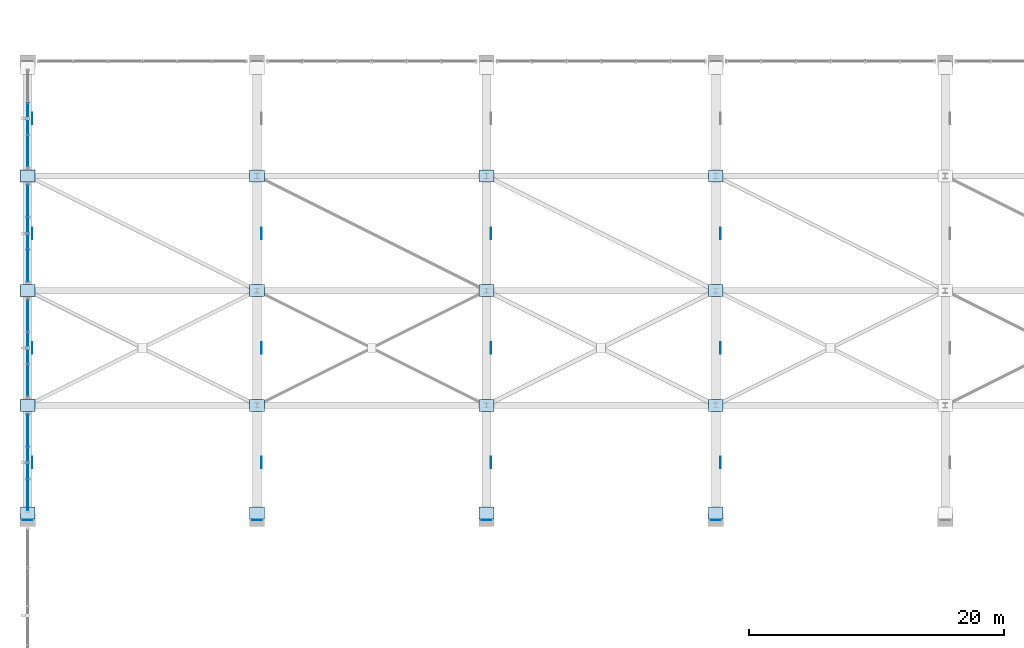
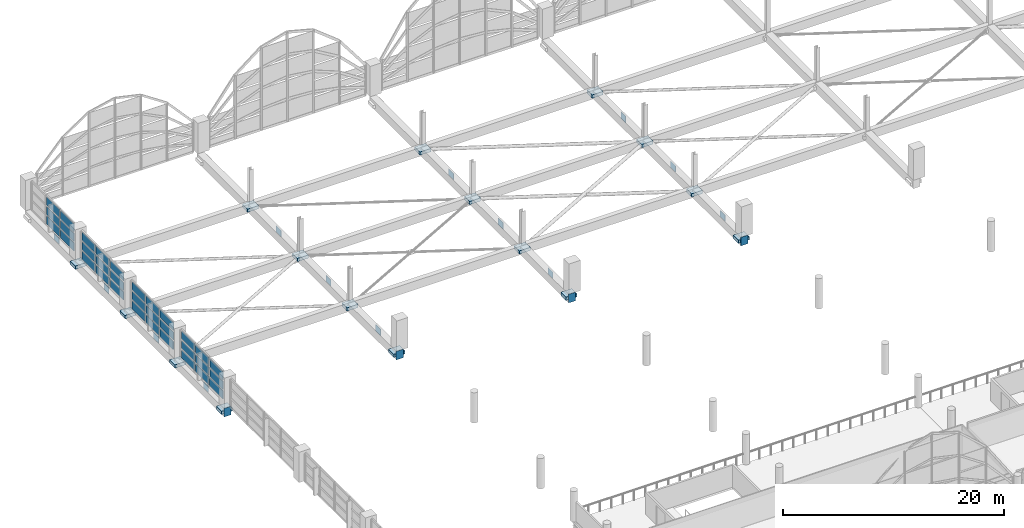
# One storey, part 87 of 116: 66 plates, 4 elements without a shape of their own.
"""IFC4 building model written with IfcOpenShell, lengths in metres."""

from ifc_helpers import new_model, si_unit, direction, frame, origin, origin_2d, place, context, subcontext, project, spatial, rectangle, extrude, material, layer, layer_set, type_object, element, aggregate, save


model = new_model("IFC4")

# Units and contexts
model_context = context("Model", 3, precision=1e-05, world=origin(), true_north=direction((0.0, 1.0)))
body_context = subcontext(model_context, "Body", "Model", "MODEL_VIEW")
ifc_project = project(units=[si_unit("LENGTHUNIT", "METRE"), si_unit("AREAUNIT", "SQUARE_METRE"), si_unit("VOLUMEUNIT", "CUBIC_METRE"), si_unit("PLANEANGLEUNIT", "RADIAN"), si_unit("MASSUNIT", "GRAM", prefix="KILO")], contexts=[model_context])

# Site, building, storey
site_placement = place(None, origin())
site = spatial("IfcSite", under=ifc_project, at=site_placement, CompositionType="ELEMENT")
building_placement = place(site_placement, origin())
building = spatial("IfcBuilding", under=site, at=building_placement, Name="Chuanluo Vaults Station", CompositionType="ELEMENT")
storey_placement = place(building_placement, frame((0.0, 0.0, 10.800048828125)))
storey = spatial("IfcBuildingStorey", under=building, at=storey_placement, Name="L02", CompositionType="ELEMENT", Elevation=10.800048828125)

# Curtain wall, plates
ifc_material_1 = material(Name="Anodised aluminium 6063-T6", Category="aluminium")
curtain_wall_type_1 = type_object("IfcCurtainWallType", Name="CW-SYS-13", PredefinedType="NOTDEFINED", material=ifc_material_1)
curtain_wall_1_placement = place(storey_placement, origin())
curtain_wall_1 = element("IfcCurtainWall", 1, at=curtain_wall_1_placement, inside=storey, type_object=curtain_wall_type_1, Name="Train shed west clerestory CW 67", PredefinedType="NOTDEFINED")
ifc_material_2 = material(Name="Ceramic-fritted spandrel glass", Category="glass")
ifc_layer_1 = layer(ifc_material_2, 0.06396484375)
ifc_layer_set_1 = layer_set([ifc_layer_1], Name="Ceramic-fritted spandrel glass")
plate_type_1 = type_object("IfcPlateType", Name="CWP-SPN-42", PredefinedType="SHEET", material=ifc_layer_set_1)
plate_1_placement = place(storey_placement, frame((0.0, 69.449951171875, 0.080078125), z_axis=(0.0, 0.0, 1.0), x_axis=(0.0, 1.0, 0.0)))
plate_1 = element("IfcPlate", 2, at=plate_1_placement, type_object=plate_type_1, Name="Train shed west clerestory CW 67 glazed panel 1.1", PredefinedType="SHEET", context=body_context, shape_type="SweptSolid", body=[
    extrude(rectangle(XDim=2.389892578125, YDim=0.06396484375, at=origin_2d()), origin(), (0.0, 0.0, 1.0), 0.889892578125),
])
plate_2_placement = place(storey_placement, frame((0.0, 72.0, 0.080078125), z_axis=(0.0, 0.0, 1.0), x_axis=(0.0, 1.0, 0.0)))
plate_2 = element("IfcPlate", 3, at=plate_2_placement, type_object=plate_type_1, Name="Train shed west clerestory CW 67 glazed panel 2.1", PredefinedType="SHEET", context=body_context, shape_type="SweptSolid", body=[
    extrude(rectangle(XDim=2.389892578125, YDim=0.06396484375, at=origin_2d()), origin(), (0.0, 0.0, 1.0), 0.889892578125),
])
plate_3_placement = place(storey_placement, frame((0.0, 74.550048828125, 0.080078125), z_axis=(0.0, 0.0, 1.0), x_axis=(0.0, 1.0, 0.0)))
plate_3 = element("IfcPlate", 4, at=plate_3_placement, type_object=plate_type_1, Name="Train shed west clerestory CW 67 glazed panel 3.1", PredefinedType="SHEET", context=body_context, shape_type="SweptSolid", body=[
    extrude(rectangle(XDim=2.389892578125, YDim=0.06396484375, at=origin_2d()), origin(), (0.0, 0.0, 1.0), 0.889892578125),
])

ifc_material_3 = material(Name="Anodised aluminium 6063-T6", Category="aluminium")
curtain_wall_type_2 = type_object("IfcCurtainWallType", Name="CW-SYS-15", PredefinedType="NOTDEFINED", material=ifc_material_3)
curtain_wall_2_placement = place(storey_placement, origin())
curtain_wall_2 = element("IfcCurtainWall", 5, at=curtain_wall_2_placement, inside=storey, type_object=curtain_wall_type_2, Name="Train shed west clerestory CW 76", PredefinedType="NOTDEFINED")
plate_4_placement = place(storey_placement, frame((0.0, 78.449951171875, 0.080078125), z_axis=(0.0, 0.0, 1.0), x_axis=(0.0, 1.0, 0.0)))
plate_4 = element("IfcPlate", 6, at=plate_4_placement, type_object=plate_type_1, Name="Train shed west clerestory CW 76 glazed panel 1.1", PredefinedType="SHEET", context=body_context, shape_type="SweptSolid", body=[
    extrude(rectangle(XDim=2.389892578125, YDim=0.06396484375, at=origin_2d()), origin(), (0.0, 0.0, 1.0), 0.889892578125),
])
plate_5_placement = place(storey_placement, frame((0.0, 81.0, 0.080078125), z_axis=(0.0, 0.0, 1.0), x_axis=(0.0, 1.0, 0.0)))
plate_5 = element("IfcPlate", 7, at=plate_5_placement, type_object=plate_type_1, Name="Train shed west clerestory CW 76 glazed panel 2.1", PredefinedType="SHEET", context=body_context, shape_type="SweptSolid", body=[
    extrude(rectangle(XDim=2.389892578125, YDim=0.06396484375, at=origin_2d()), origin(), (0.0, 0.0, 1.0), 0.889892578125),
])
plate_6_placement = place(storey_placement, frame((0.0, 83.550048828125, 0.080078125), z_axis=(0.0, 0.0, 1.0), x_axis=(0.0, 1.0, 0.0)))
plate_6 = element("IfcPlate", 8, at=plate_6_placement, type_object=plate_type_1, Name="Train shed west clerestory CW 76 glazed panel 3.1", PredefinedType="SHEET", context=body_context, shape_type="SweptSolid", body=[
    extrude(rectangle(XDim=2.389892578125, YDim=0.06396484375, at=origin_2d()), origin(), (0.0, 0.0, 1.0), 0.889892578125),
])

ifc_material_4 = material(Name="Anodised aluminium 6063-T6", Category="aluminium")
curtain_wall_type_3 = type_object("IfcCurtainWallType", Name="CW-SYS-17", PredefinedType="NOTDEFINED", material=ifc_material_4)
curtain_wall_3_placement = place(storey_placement, origin())
curtain_wall_3 = element("IfcCurtainWall", 9, at=curtain_wall_3_placement, inside=storey, type_object=curtain_wall_type_3, Name="Train shed west clerestory CW 85", PredefinedType="NOTDEFINED")
plate_7_placement = place(storey_placement, frame((0.0, 87.449951171875, 0.080078125), z_axis=(0.0, 0.0, 1.0), x_axis=(0.0, 1.0, 0.0)))
plate_7 = element("IfcPlate", 10, at=plate_7_placement, type_object=plate_type_1, Name="Train shed west clerestory CW 85 glazed panel 1.1", PredefinedType="SHEET", context=body_context, shape_type="SweptSolid", body=[
    extrude(rectangle(XDim=2.389892578125, YDim=0.06396484375, at=origin_2d()), origin(), (0.0, 0.0, 1.0), 0.889892578125),
])
plate_8_placement = place(storey_placement, frame((0.0, 90.0, 0.080078125), z_axis=(0.0, 0.0, 1.0), x_axis=(0.0, 1.0, 0.0)))
plate_8 = element("IfcPlate", 11, at=plate_8_placement, type_object=plate_type_1, Name="Train shed west clerestory CW 85 glazed panel 2.1", PredefinedType="SHEET", context=body_context, shape_type="SweptSolid", body=[
    extrude(rectangle(XDim=2.389892578125, YDim=0.06396484375, at=origin_2d()), origin(), (0.0, 0.0, 1.0), 0.889892578125),
])
plate_9_placement = place(storey_placement, frame((0.0, 92.550048828125, 0.080078125), z_axis=(0.0, 0.0, 1.0), x_axis=(0.0, 1.0, 0.0)))
plate_9 = element("IfcPlate", 12, at=plate_9_placement, type_object=plate_type_1, Name="Train shed west clerestory CW 85 glazed panel 3.1", PredefinedType="SHEET", context=body_context, shape_type="SweptSolid", body=[
    extrude(rectangle(XDim=2.389892578125, YDim=0.06396484375, at=origin_2d()), origin(), (0.0, 0.0, 1.0), 0.889892578125),
])

ifc_material_5 = material(Name="Anodised aluminium 6063-T6", Category="aluminium")
curtain_wall_type_4 = type_object("IfcCurtainWallType", Name="CW-SYS-19", PredefinedType="NOTDEFINED", material=ifc_material_5)
curtain_wall_4_placement = place(storey_placement, origin())
curtain_wall_4 = element("IfcCurtainWall", 13, at=curtain_wall_4_placement, inside=storey, type_object=curtain_wall_type_4, Name="Train shed west clerestory CW 94", PredefinedType="NOTDEFINED")
plate_10_placement = place(storey_placement, frame((0.0, 96.449951171875, 0.080078125), z_axis=(0.0, 0.0, 1.0), x_axis=(0.0, 1.0, 0.0)))
plate_10 = element("IfcPlate", 14, at=plate_10_placement, type_object=plate_type_1, Name="Train shed west clerestory CW 94 glazed panel 1.1", PredefinedType="SHEET", context=body_context, shape_type="SweptSolid", body=[
    extrude(rectangle(XDim=2.389892578125, YDim=0.06396484375, at=origin_2d()), origin(), (0.0, 0.0, 1.0), 0.889892578125),
])
plate_11_placement = place(storey_placement, frame((0.0, 99.0, 0.080078125), z_axis=(0.0, 0.0, 1.0), x_axis=(0.0, 1.0, 0.0)))
plate_11 = element("IfcPlate", 15, at=plate_11_placement, type_object=plate_type_1, Name="Train shed west clerestory CW 94 glazed panel 2.1", PredefinedType="SHEET", context=body_context, shape_type="SweptSolid", body=[
    extrude(rectangle(XDim=2.389892578125, YDim=0.06396484375, at=origin_2d()), origin(), (0.0, 0.0, 1.0), 0.889892578125),
])

# Plate
ifc_material_6 = material(Name="Double-silver Low-E laminated glass", Category="glass")
ifc_layer_2 = layer(ifc_material_6, 0.048095703125)
ifc_layer_set_2 = layer_set([ifc_layer_2], Name="Double-silver Low-E laminated glass")
plate_type_2 = type_object("IfcPlateType", Name="CWP-VIS-32", PredefinedType="CURTAIN_PANEL", material=ifc_layer_set_2)
plate_12_placement = place(storey_placement, frame((0.0, 78.449951171875, 1.1298828125), z_axis=(0.0, 0.0, 1.0), x_axis=(0.0, 1.0, 0.0)))
plate_12 = element("IfcPlate", 16, at=plate_12_placement, type_object=plate_type_2, Name="Train shed west clerestory CW 76 glazed panel 1.2", PredefinedType="CURTAIN_PANEL", context=body_context, shape_type="SweptSolid", body=[
    extrude(rectangle(XDim=2.389892578125, YDim=0.048095703125, at=origin_2d()), origin(), (0.0, 0.0, 1.0), 0.889892578125),
])

plate_13_placement = place(storey_placement, frame((0.0, 78.449951171875, 2.18017578125), z_axis=(0.0, 0.0, 1.0), x_axis=(0.0, 1.0, 0.0)))
plate_13 = element("IfcPlate", 17, at=plate_13_placement, type_object=plate_type_2, Name="Train shed west clerestory CW 76 glazed panel 1.3", PredefinedType="CURTAIN_PANEL", context=body_context, shape_type="SweptSolid", body=[
    extrude(rectangle(XDim=2.389892578125, YDim=0.048095703125, at=origin_2d()), origin(), (0.0, 0.0, 1.0), 0.889892578125),
])

plate_14_placement = place(storey_placement, frame((0.0, 81.0, 1.1298828125), z_axis=(0.0, 0.0, 1.0), x_axis=(0.0, 1.0, 0.0)))
plate_14 = element("IfcPlate", 18, at=plate_14_placement, type_object=plate_type_2, Name="Train shed west clerestory CW 76 glazed panel 2.2", PredefinedType="CURTAIN_PANEL", context=body_context, shape_type="SweptSolid", body=[
    extrude(rectangle(XDim=2.389892578125, YDim=0.048095703125, at=origin_2d()), origin(), (0.0, 0.0, 1.0), 0.889892578125),
])

plate_15_placement = place(storey_placement, frame((0.0, 81.0, 2.18017578125), z_axis=(0.0, 0.0, 1.0), x_axis=(0.0, 1.0, 0.0)))
plate_15 = element("IfcPlate", 19, at=plate_15_placement, type_object=plate_type_2, Name="Train shed west clerestory CW 76 glazed panel 2.3", PredefinedType="CURTAIN_PANEL", context=body_context, shape_type="SweptSolid", body=[
    extrude(rectangle(XDim=2.389892578125, YDim=0.048095703125, at=origin_2d()), origin(), (0.0, 0.0, 1.0), 0.889892578125),
])

plate_16_placement = place(storey_placement, frame((0.0, 83.550048828125, 1.1298828125), z_axis=(0.0, 0.0, 1.0), x_axis=(0.0, 1.0, 0.0)))
plate_16 = element("IfcPlate", 20, at=plate_16_placement, type_object=plate_type_2, Name="Train shed west clerestory CW 76 glazed panel 3.2", PredefinedType="CURTAIN_PANEL", context=body_context, shape_type="SweptSolid", body=[
    extrude(rectangle(XDim=2.389892578125, YDim=0.048095703125, at=origin_2d()), origin(), (0.0, 0.0, 1.0), 0.889892578125),
])

plate_17_placement = place(storey_placement, frame((0.0, 83.550048828125, 2.18017578125), z_axis=(0.0, 0.0, 1.0), x_axis=(0.0, 1.0, 0.0)))
plate_17 = element("IfcPlate", 21, at=plate_17_placement, type_object=plate_type_2, Name="Train shed west clerestory CW 76 glazed panel 3.3", PredefinedType="CURTAIN_PANEL", context=body_context, shape_type="SweptSolid", body=[
    extrude(rectangle(XDim=2.389892578125, YDim=0.048095703125, at=origin_2d()), origin(), (0.0, 0.0, 1.0), 0.889892578125),
])

aggregate(curtain_wall_2, [plate_4, plate_12, plate_13, plate_5, plate_14, plate_15, plate_6, plate_16, plate_17])

plate_18_placement = place(storey_placement, frame((0.0, 96.449951171875, 1.1298828125), z_axis=(0.0, 0.0, 1.0), x_axis=(0.0, 1.0, 0.0)))
plate_18 = element("IfcPlate", 22, at=plate_18_placement, type_object=plate_type_2, Name="Train shed west clerestory CW 94 glazed panel 1.2", PredefinedType="CURTAIN_PANEL", context=body_context, shape_type="SweptSolid", body=[
    extrude(rectangle(XDim=2.389892578125, YDim=0.048095703125, at=origin_2d()), origin(), (0.0, 0.0, 1.0), 0.889892578125),
])

plate_19_placement = place(storey_placement, frame((0.0, 96.449951171875, 2.18017578125), z_axis=(0.0, 0.0, 1.0), x_axis=(0.0, 1.0, 0.0)))
plate_19 = element("IfcPlate", 23, at=plate_19_placement, type_object=plate_type_2, Name="Train shed west clerestory CW 94 glazed panel 1.3", PredefinedType="CURTAIN_PANEL", context=body_context, shape_type="SweptSolid", body=[
    extrude(rectangle(XDim=2.389892578125, YDim=0.048095703125, at=origin_2d()), origin(), (0.0, 0.0, 1.0), 0.889892578125),
])

plate_20_placement = place(storey_placement, frame((0.0, 99.0, 1.1298828125), z_axis=(0.0, 0.0, 1.0), x_axis=(0.0, 1.0, 0.0)))
plate_20 = element("IfcPlate", 24, at=plate_20_placement, type_object=plate_type_2, Name="Train shed west clerestory CW 94 glazed panel 2.2", PredefinedType="CURTAIN_PANEL", context=body_context, shape_type="SweptSolid", body=[
    extrude(rectangle(XDim=2.389892578125, YDim=0.048095703125, at=origin_2d()), origin(), (0.0, 0.0, 1.0), 0.889892578125),
])

plate_21_placement = place(storey_placement, frame((0.0, 99.0, 2.18017578125), z_axis=(0.0, 0.0, 1.0), x_axis=(0.0, 1.0, 0.0)))
plate_21 = element("IfcPlate", 25, at=plate_21_placement, type_object=plate_type_2, Name="Train shed west clerestory CW 94 glazed panel 2.3", PredefinedType="CURTAIN_PANEL", context=body_context, shape_type="SweptSolid", body=[
    extrude(rectangle(XDim=2.389892578125, YDim=0.048095703125, at=origin_2d()), origin(), (0.0, 0.0, 1.0), 0.889892578125),
])

aggregate(curtain_wall_4, [plate_10, plate_18, plate_19, plate_11, plate_20, plate_21])

ifc_material_7 = material(Name="Double-silver Low-E laminated glass", Category="glass")
ifc_layer_3 = layer(ifc_material_7, 0.05810546875)
ifc_layer_set_3 = layer_set([ifc_layer_3], Name="Double-silver Low-E laminated glass")
plate_type_3 = type_object("IfcPlateType", Name="CWP-VIS-38", PredefinedType="CURTAIN_PANEL", material=ifc_layer_set_3)
plate_22_placement = place(storey_placement, frame((0.0, 69.449951171875, 1.1298828125), z_axis=(0.0, 0.0, 1.0), x_axis=(0.0, 1.0, 0.0)))
plate_22 = element("IfcPlate", 26, at=plate_22_placement, type_object=plate_type_3, Name="Train shed west clerestory CW 67 glazed panel 1.2", PredefinedType="CURTAIN_PANEL", context=body_context, shape_type="SweptSolid", body=[
    extrude(rectangle(XDim=2.389892578125, YDim=0.05810546875, at=origin_2d()), origin(), (0.0, 0.0, 1.0), 0.889892578125),
])

plate_23_placement = place(storey_placement, frame((0.0, 69.449951171875, 2.18017578125), z_axis=(0.0, 0.0, 1.0), x_axis=(0.0, 1.0, 0.0)))
plate_23 = element("IfcPlate", 27, at=plate_23_placement, type_object=plate_type_3, Name="Train shed west clerestory CW 67 glazed panel 1.3", PredefinedType="CURTAIN_PANEL", context=body_context, shape_type="SweptSolid", body=[
    extrude(rectangle(XDim=2.389892578125, YDim=0.05810546875, at=origin_2d()), origin(), (0.0, 0.0, 1.0), 0.889892578125),
])

plate_24_placement = place(storey_placement, frame((0.0, 72.0, 1.1298828125), z_axis=(0.0, 0.0, 1.0), x_axis=(0.0, 1.0, 0.0)))
plate_24 = element("IfcPlate", 28, at=plate_24_placement, type_object=plate_type_3, Name="Train shed west clerestory CW 67 glazed panel 2.2", PredefinedType="CURTAIN_PANEL", context=body_context, shape_type="SweptSolid", body=[
    extrude(rectangle(XDim=2.389892578125, YDim=0.05810546875, at=origin_2d()), origin(), (0.0, 0.0, 1.0), 0.889892578125),
])

plate_25_placement = place(storey_placement, frame((0.0, 72.0, 2.18017578125), z_axis=(0.0, 0.0, 1.0), x_axis=(0.0, 1.0, 0.0)))
plate_25 = element("IfcPlate", 29, at=plate_25_placement, type_object=plate_type_3, Name="Train shed west clerestory CW 67 glazed panel 2.3", PredefinedType="CURTAIN_PANEL", context=body_context, shape_type="SweptSolid", body=[
    extrude(rectangle(XDim=2.389892578125, YDim=0.05810546875, at=origin_2d()), origin(), (0.0, 0.0, 1.0), 0.889892578125),
])

plate_26_placement = place(storey_placement, frame((0.0, 74.550048828125, 1.1298828125), z_axis=(0.0, 0.0, 1.0), x_axis=(0.0, 1.0, 0.0)))
plate_26 = element("IfcPlate", 30, at=plate_26_placement, type_object=plate_type_3, Name="Train shed west clerestory CW 67 glazed panel 3.2", PredefinedType="CURTAIN_PANEL", context=body_context, shape_type="SweptSolid", body=[
    extrude(rectangle(XDim=2.389892578125, YDim=0.05810546875, at=origin_2d()), origin(), (0.0, 0.0, 1.0), 0.889892578125),
])

plate_27_placement = place(storey_placement, frame((0.0, 74.550048828125, 2.18017578125), z_axis=(0.0, 0.0, 1.0), x_axis=(0.0, 1.0, 0.0)))
plate_27 = element("IfcPlate", 31, at=plate_27_placement, type_object=plate_type_3, Name="Train shed west clerestory CW 67 glazed panel 3.3", PredefinedType="CURTAIN_PANEL", context=body_context, shape_type="SweptSolid", body=[
    extrude(rectangle(XDim=2.389892578125, YDim=0.05810546875, at=origin_2d()), origin(), (0.0, 0.0, 1.0), 0.889892578125),
])

aggregate(curtain_wall_1, [plate_1, plate_22, plate_23, plate_2, plate_24, plate_25, plate_3, plate_26, plate_27])

plate_28_placement = place(storey_placement, frame((0.0, 87.449951171875, 1.1298828125), z_axis=(0.0, 0.0, 1.0), x_axis=(0.0, 1.0, 0.0)))
plate_28 = element("IfcPlate", 32, at=plate_28_placement, type_object=plate_type_3, Name="Train shed west clerestory CW 85 glazed panel 1.2", PredefinedType="CURTAIN_PANEL", context=body_context, shape_type="SweptSolid", body=[
    extrude(rectangle(XDim=2.389892578125, YDim=0.05810546875, at=origin_2d()), origin(), (0.0, 0.0, 1.0), 0.889892578125),
])

plate_29_placement = place(storey_placement, frame((0.0, 87.449951171875, 2.18017578125), z_axis=(0.0, 0.0, 1.0), x_axis=(0.0, 1.0, 0.0)))
plate_29 = element("IfcPlate", 33, at=plate_29_placement, type_object=plate_type_3, Name="Train shed west clerestory CW 85 glazed panel 1.3", PredefinedType="CURTAIN_PANEL", context=body_context, shape_type="SweptSolid", body=[
    extrude(rectangle(XDim=2.389892578125, YDim=0.05810546875, at=origin_2d()), origin(), (0.0, 0.0, 1.0), 0.889892578125),
])

plate_30_placement = place(storey_placement, frame((0.0, 90.0, 1.1298828125), z_axis=(0.0, 0.0, 1.0), x_axis=(0.0, 1.0, 0.0)))
plate_30 = element("IfcPlate", 34, at=plate_30_placement, type_object=plate_type_3, Name="Train shed west clerestory CW 85 glazed panel 2.2", PredefinedType="CURTAIN_PANEL", context=body_context, shape_type="SweptSolid", body=[
    extrude(rectangle(XDim=2.389892578125, YDim=0.05810546875, at=origin_2d()), origin(), (0.0, 0.0, 1.0), 0.889892578125),
])

plate_31_placement = place(storey_placement, frame((0.0, 90.0, 2.18017578125), z_axis=(0.0, 0.0, 1.0), x_axis=(0.0, 1.0, 0.0)))
plate_31 = element("IfcPlate", 35, at=plate_31_placement, type_object=plate_type_3, Name="Train shed west clerestory CW 85 glazed panel 2.3", PredefinedType="CURTAIN_PANEL", context=body_context, shape_type="SweptSolid", body=[
    extrude(rectangle(XDim=2.389892578125, YDim=0.05810546875, at=origin_2d()), origin(), (0.0, 0.0, 1.0), 0.889892578125),
])

plate_32_placement = place(storey_placement, frame((0.0, 92.550048828125, 1.1298828125), z_axis=(0.0, 0.0, 1.0), x_axis=(0.0, 1.0, 0.0)))
plate_32 = element("IfcPlate", 36, at=plate_32_placement, type_object=plate_type_3, Name="Train shed west clerestory CW 85 glazed panel 3.2", PredefinedType="CURTAIN_PANEL", context=body_context, shape_type="SweptSolid", body=[
    extrude(rectangle(XDim=2.389892578125, YDim=0.05810546875, at=origin_2d()), origin(), (0.0, 0.0, 1.0), 0.889892578125),
])

plate_33_placement = place(storey_placement, frame((0.0, 92.550048828125, 2.18017578125), z_axis=(0.0, 0.0, 1.0), x_axis=(0.0, 1.0, 0.0)))
plate_33 = element("IfcPlate", 37, at=plate_33_placement, type_object=plate_type_3, Name="Train shed west clerestory CW 85 glazed panel 3.3", PredefinedType="CURTAIN_PANEL", context=body_context, shape_type="SweptSolid", body=[
    extrude(rectangle(XDim=2.389892578125, YDim=0.05810546875, at=origin_2d()), origin(), (0.0, 0.0, 1.0), 0.889892578125),
])

aggregate(curtain_wall_3, [plate_7, plate_28, plate_29, plate_8, plate_30, plate_31, plate_9, plate_32, plate_33])

# Plates
ifc_material_8 = material(Name="Steel Q390C", Category="steel")
ifc_layer_4 = layer(ifc_material_8, 0.0400390625)
ifc_layer_set_4 = layer_set([ifc_layer_4], Name="Steel Q390C")
plate_type_4 = type_object("IfcPlateType", Name="PLT-BASE-40", PredefinedType="USERDEFINED", material=ifc_layer_set_4)
for number, where, z_axis, x_axis, name in (
    (38, (0.0, 94.5, -1.0302734375), (0.0, 0.0, 1.0), (1.0, 0.0, 0.0), "Structural steel node diaphragm 0044"),
    (39, (18.0, 94.5, -1.0302734375), (0.0, 0.0, 1.0), (1.0, 0.0, 0.0), "Structural steel node diaphragm 0049"),
    (40, (36.0, 94.5, -1.0302734375), (0.0, 0.0, 1.0), (1.0, 0.0, 0.0), "Structural steel node diaphragm 0054"),
    (41, (54.0, 94.5, -1.0302734375), (0.0, 0.0, 1.0), (1.0, 0.0, 0.0), "Structural steel node diaphragm 0059"),
):
    element("IfcPlate", number, at=place(storey_placement, frame(where, z_axis=z_axis, x_axis=x_axis)), inside=storey, type_object=plate_type_4, Name=name, ObjectType="BASE_PLATE", PredefinedType="USERDEFINED", context=body_context, shape_type="SweptSolid", body=[
        extrude(rectangle(XDim=1.14990234375, YDim=0.949951171875, at=origin_2d()), origin(), (0.0, 0.0, 1.0), 0.360107421875),
    ])
ifc_material_9 = material(Name="Steel Q390C", Category="steel")
ifc_layer_5 = layer(ifc_material_9, 0.02587890625)
ifc_layer_set_5 = layer_set([ifc_layer_5], Name="Steel Q390C")
plate_type_5 = type_object("IfcPlateType", Name="PLT-CAP-26", PredefinedType="USERDEFINED", material=ifc_layer_set_5)
for number, where, z_axis, x_axis, name in (
    (42, (0.0, 67.5, -1.320068359375), (0.0, 0.0, 1.0), (1.0, 0.0, 0.0), "Truss TT-1 top chord end cap S"),
    (43, (18.0, 67.5, -1.320068359375), (0.0, 0.0, 1.0), (1.0, 0.0, 0.0), "Truss TT-2 top chord end cap S"),
    (44, (36.0, 67.5, -1.320068359375), (0.0, 0.0, 1.0), (1.0, 0.0, 0.0), "Truss TT-3 top chord end cap S"),
    (45, (54.0, 67.5, -1.320068359375), (0.0, 0.0, 1.0), (1.0, 0.0, 0.0), "Truss TT-4 top chord end cap S"),
):
    element("IfcPlate", number, at=place(storey_placement, frame(where, z_axis=z_axis, x_axis=x_axis)), inside=storey, type_object=plate_type_5, Name=name, ObjectType="COVER_PLATE", PredefinedType="USERDEFINED", context=body_context, shape_type="SweptSolid", body=[
        extrude(rectangle(XDim=0.739990234375, YDim=0.02587890625, at=origin_2d()), origin(), (0.0, 0.0, 1.0), 0.93994140625),
    ])
ifc_material_10 = material(Name="Steel Q355C", Category="steel")
ifc_layer_6 = layer(ifc_material_10, 0.02001953125)
ifc_layer_set_6 = layer_set([ifc_layer_6], Name="Steel Q355C")
plate_type_6 = type_object("IfcPlateType", Name="PLT-GUS-20", PredefinedType="USERDEFINED", material=ifc_layer_set_6)
for number, where, z_axis, x_axis, name in (
    (46, (0.0, 76.5, -1.0302734375), (0.0, 0.0, 1.0), (1.0, 0.0, 0.0), "Structural steel node diaphragm 0042"),
    (47, (18.0, 76.5, -1.0302734375), (0.0, 0.0, 1.0), (1.0, 0.0, 0.0), "Structural steel node diaphragm 0047"),
    (48, (36.0, 76.5, -1.0302734375), (0.0, 0.0, 1.0), (1.0, 0.0, 0.0), "Structural steel node diaphragm 0052"),
    (49, (54.0, 76.5, -1.0302734375), (0.0, 0.0, 1.0), (1.0, 0.0, 0.0), "Structural steel node diaphragm 0057"),
):
    element("IfcPlate", number, at=place(storey_placement, frame(where, z_axis=z_axis, x_axis=x_axis)), inside=storey, type_object=plate_type_6, Name=name, ObjectType="STIFFENER_PLATE", PredefinedType="USERDEFINED", context=body_context, shape_type="SweptSolid", body=[
        extrude(rectangle(XDim=1.14990234375, YDim=0.949951171875, at=origin_2d()), origin(), (0.0, 0.0, 1.0), 0.360107421875),
    ])
ifc_material_11 = material(Name="Steel Q390C", Category="steel")
ifc_layer_7 = layer(ifc_material_11, 0.028076171875)
ifc_layer_set_7 = layer_set([ifc_layer_7], Name="Steel Q390C")
plate_type_7 = type_object("IfcPlateType", Name="PLT-GUS-28", PredefinedType="USERDEFINED", material=ifc_layer_set_7)
for number, where, z_axis, x_axis, name in (
    (50, (0.0, 68.050048828125, -1.0302734375), (0.0, 0.0, 1.0), (1.0, 0.0, 0.0), "Structural steel node diaphragm 0041"),
    (51, (18.0, 68.050048828125, -1.0302734375), (0.0, 0.0, 1.0), (1.0, 0.0, 0.0), "Structural steel node diaphragm 0046"),
    (52, (36.0, 68.050048828125, -1.0302734375), (0.0, 0.0, 1.0), (1.0, 0.0, 0.0), "Structural steel node diaphragm 0051"),
    (53, (54.0, 68.050048828125, -1.0302734375), (0.0, 0.0, 1.0), (1.0, 0.0, 0.0), "Structural steel node diaphragm 0056"),
):
    element("IfcPlate", number, at=place(storey_placement, frame(where, z_axis=z_axis, x_axis=x_axis)), inside=storey, type_object=plate_type_7, Name=name, ObjectType="GUSSET_PLATE", PredefinedType="USERDEFINED", context=body_context, shape_type="SweptSolid", body=[
        extrude(rectangle(XDim=1.14990234375, YDim=0.949951171875, at=origin_2d()), origin(), (0.0, 0.0, 1.0), 0.360107421875),
    ])
ifc_material_12 = material(Name="Steel Q390C", Category="steel")
ifc_layer_8 = layer(ifc_material_12, 0.031982421875)
ifc_layer_set_8 = layer_set([ifc_layer_8], Name="Steel Q390C")
plate_type_8 = type_object("IfcPlateType", Name="PLT-GUS-32", PredefinedType="USERDEFINED", material=ifc_layer_set_8)
for number, where, z_axis, x_axis, name in (
    (54, (0.364013671875, 72.0, -1.35009765625), (0.0, 0.0, 1.0), (1.0, 0.0, 0.0), "Truss TT-1 top node gusset 1"),
    (55, (0.364013671875, 81.0, -1.35009765625), (0.0, 0.0, 1.0), (1.0, 0.0, 0.0), "Truss TT-1 top node gusset 2"),
    (56, (0.364013671875, 90.0, -1.35009765625), (0.0, 0.0, 1.0), (1.0, 0.0, 0.0), "Truss TT-1 top node gusset 3"),
    (57, (0.364013671875, 99.0, -1.35009765625), (0.0, 0.0, 1.0), (1.0, 0.0, 0.0), "Truss TT-1 top node gusset 4"),
    (58, (18.364013671875, 72.0, -1.35009765625), (0.0, 0.0, 1.0), (1.0, 0.0, 0.0), "Truss TT-2 top node gusset 1"),
    (59, (18.364013671875, 81.0, -1.35009765625), (0.0, 0.0, 1.0), (1.0, 0.0, 0.0), "Truss TT-2 top node gusset 2"),
    (60, (18.364013671875, 90.0, -1.35009765625), (0.0, 0.0, 1.0), (1.0, 0.0, 0.0), "Truss TT-2 top node gusset 3"),
    (61, (36.364013671875, 72.0, -1.35009765625), (0.0, 0.0, 1.0), (1.0, 0.0, 0.0), "Truss TT-3 top node gusset 1"),
    (62, (36.364013671875, 81.0, -1.35009765625), (0.0, 0.0, 1.0), (1.0, 0.0, 0.0), "Truss TT-3 top node gusset 2"),
    (63, (36.364013671875, 90.0, -1.35009765625), (0.0, 0.0, 1.0), (1.0, 0.0, 0.0), "Truss TT-3 top node gusset 3"),
    (64, (54.364013671875, 72.0, -1.35009765625), (0.0, 0.0, 1.0), (1.0, 0.0, 0.0), "Truss TT-4 top node gusset 1"),
    (65, (54.364013671875, 81.0, -1.35009765625), (0.0, 0.0, 1.0), (1.0, 0.0, 0.0), "Truss TT-4 top node gusset 2"),
    (66, (54.364013671875, 90.0, -1.35009765625), (0.0, 0.0, 1.0), (1.0, 0.0, 0.0), "Truss TT-4 top node gusset 3"),
):
    element("IfcPlate", number, at=place(storey_placement, frame(where, z_axis=z_axis, x_axis=x_axis)), inside=storey, type_object=plate_type_8, Name=name, ObjectType="GUSSET_PLATE", PredefinedType="USERDEFINED", context=body_context, shape_type="SweptSolid", body=[
        extrude(rectangle(XDim=0.031982421875, YDim=0.89990234375, at=origin_2d()), origin(), (0.0, 0.0, 1.0), 0.699951171875),
    ])
ifc_material_13 = material(Name="Steel Q355C", Category="steel")
ifc_layer_9 = layer(ifc_material_13, 0.02197265625)
ifc_layer_set_9 = layer_set([ifc_layer_9], Name="Steel Q355C")
plate_type_9 = type_object("IfcPlateType", Name="PLT-SPL-22", PredefinedType="USERDEFINED", material=ifc_layer_set_9)
for number, where, z_axis, x_axis, name in (
    (67, (0.0, 85.5, -1.0302734375), (0.0, 0.0, 1.0), (1.0, 0.0, 0.0), "Structural steel node diaphragm 0043"),
    (68, (18.0, 85.5, -1.0302734375), (0.0, 0.0, 1.0), (1.0, 0.0, 0.0), "Structural steel node diaphragm 0048"),
    (69, (36.0, 85.5, -1.0302734375), (0.0, 0.0, 1.0), (1.0, 0.0, 0.0), "Structural steel node diaphragm 0053"),
    (70, (54.0, 85.5, -1.0302734375), (0.0, 0.0, 1.0), (1.0, 0.0, 0.0), "Structural steel node diaphragm 0058"),
):
    element("IfcPlate", number, at=place(storey_placement, frame(where, z_axis=z_axis, x_axis=x_axis)), inside=storey, type_object=plate_type_9, Name=name, ObjectType="SPLICE_PLATE", PredefinedType="USERDEFINED", context=body_context, shape_type="SweptSolid", body=[
        extrude(rectangle(XDim=1.14990234375, YDim=0.949951171875, at=origin_2d()), origin(), (0.0, 0.0, 1.0), 0.360107421875),
    ])

save(model, "model.ifc")
